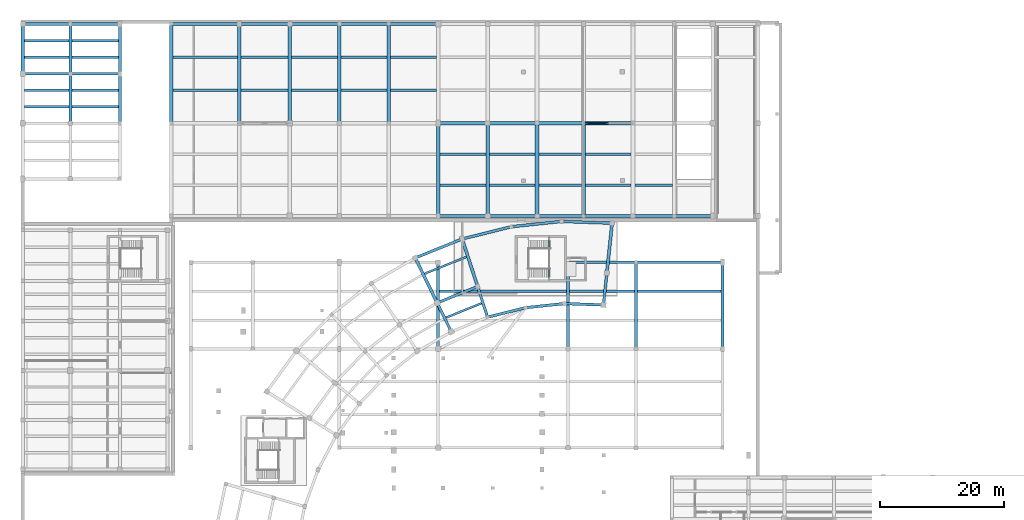
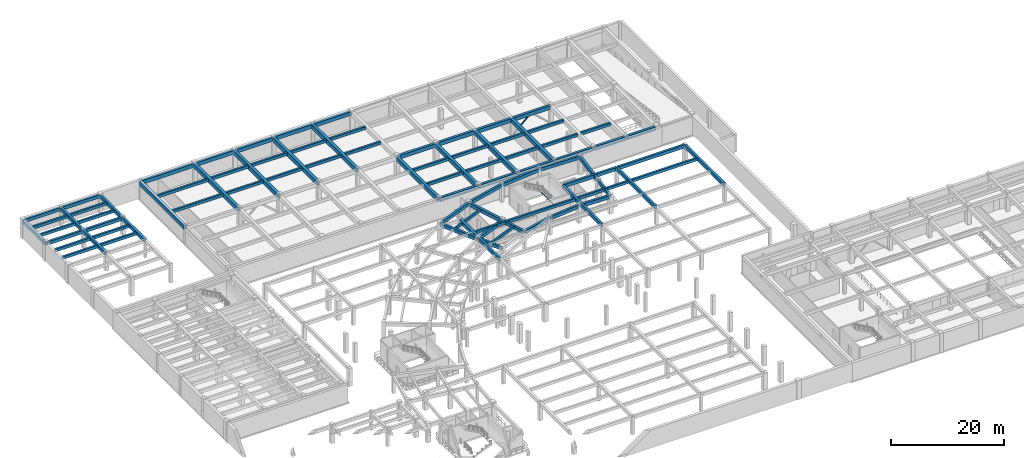
# One storey, part 7 of 35: 85 beams, 2 members.
"""IFC4 building model written with IfcOpenShell, lengths in metres."""

from ifc_helpers import new_model, si_unit, direction, frame, origin, origin_2d, place, context, subcontext, project, spatial, rectangle, hollow_rectangle, hollow_circle, extrude, material, material_profile, profile_set, type_object, element, save


model = new_model("IFC4")

# Units and contexts
model_context = context("Model", 3, precision=1e-05, world=origin(), true_north=direction((0.0, 1.0)))
body_context = subcontext(model_context, "Body", "Model", "MODEL_VIEW")
ifc_project = project(units=[si_unit("LENGTHUNIT", "METRE"), si_unit("AREAUNIT", "SQUARE_METRE"), si_unit("VOLUMEUNIT", "CUBIC_METRE"), si_unit("PLANEANGLEUNIT", "RADIAN"), si_unit("MASSUNIT", "GRAM", prefix="KILO"), si_unit("THERMODYNAMICTEMPERATUREUNIT", "KELVIN"), si_unit("POWERUNIT", "WATT")], contexts=[model_context])

# Site, building, storey
site_placement = place(None, origin())
site = spatial("IfcSite", under=ifc_project, at=site_placement, CompositionType="ELEMENT")
building_placement = place(site_placement, origin())
building = spatial("IfcBuilding", under=site, at=building_placement, Name="Solvatero Civic Police Headquarters", CompositionType="ELEMENT")
storey_placement = place(building_placement, frame((0.0, 0.0, -4.199951171875)))
storey = spatial("IfcBuildingStorey", under=building, at=storey_placement, Name="B01", CompositionType="ELEMENT", Elevation=-4.199951171875)

# Beams
ifc_material_1 = material(Name="Concrete C40/50", Category="concrete")
ifc_material_profile_1 = material_profile(ifc_material_1, rectangle(XDim=0.35009765625, YDim=0.550048828125, at=origin_2d()), Name="RC 350x550")
ifc_profile_set_1 = profile_set([ifc_material_profile_1], Name="Concrete C40/50")
beam_type_1 = type_object("IfcBeamType", Name="BM-RC-350x550", PredefinedType="BEAM", material=ifc_profile_set_1)
beam_1_placement = place(storey_placement, frame((78.997314453125, 71.36669921875, 3.625), z_axis=(-0.927204835527, -0.374554659528, 0.0), x_axis=(0.374554659528, -0.927204835527, 0.0)))
element("IfcBeam", 1, at=beam_1_placement, inside=storey, type_object=beam_type_1, Name="Primary girder BM-R2-B01-ARC-CS1-B04", PredefinedType="BEAM", context=body_context, shape_type="SweptSolid", body=[
    extrude(rectangle(XDim=0.35009765625, YDim=0.550048828125, at=origin_2d()), origin(), (0.0, 0.0, 1.0), 6.168701171875),
])
beam_2_placement = place(storey_placement, frame((76.555908203125, 78.880126953125, 3.625), z_axis=(-0.927188241672, -0.374595734766, 0.0), x_axis=(0.374595734766, -0.927188241672, 0.0)))
element("IfcBeam", 2, at=beam_2_placement, inside=storey, type_object=beam_type_1, Name="Primary girder BM-R2-B01-ARC-CS2-B04", PredefinedType="BEAM", context=body_context, shape_type="SweptSolid", body=[
    extrude(rectangle(XDim=0.35009765625, YDim=0.550048828125, at=origin_2d()), origin(), (0.0, 0.0, 1.0), 7.270751953125),
])
ifc_material_profile_2 = material_profile(ifc_material_1, rectangle(XDim=0.39990234375, YDim=0.60009765625, at=origin_2d()), Name="RC 400x600")
ifc_profile_set_2 = profile_set([ifc_material_profile_2], Name="Concrete C40/50")
beam_type_2 = type_object("IfcBeamType", Name="BM-RC-400x600", PredefinedType="BEAM", material=ifc_profile_set_2)
for number, where, z_axis, x_axis, name in (
    (3, (5.050048828125, 103.166748046875, 3.599853515625), (1.0, 0.0, 0.0), (0.0, 1.0, 0.0), "Primary girder BM-R2-B01-V7NWB-SEC-1-2-S1"),
    (4, (5.050048828125, 105.833251953125, 3.599853515625), (1.0, 0.0, 0.0), (0.0, 1.0, 0.0), "Primary girder BM-R2-B01-V7NWB-SEC-1-2-S2"),
    (5, (5.050048828125, 111.183349609375, 3.599853515625), (1.0, 0.0, 0.0), (0.0, 1.0, 0.0), "Primary girder BM-R2-B01-V7NWB-SEC-1-3-S1"),
    (6, (5.050048828125, 113.86669921875, 3.599853515625), (1.0, 0.0, 0.0), (0.0, 1.0, 0.0), "Primary girder BM-R2-B01-V7NWB-SEC-1-3-S2"),
):
    element("IfcBeam", number, at=place(storey_placement, frame(where, z_axis=z_axis, x_axis=x_axis)), inside=storey, type_object=beam_type_2, Name=name, PredefinedType="BEAM", context=body_context, shape_type="SweptSolid", body=[
        extrude(rectangle(XDim=0.39990234375, YDim=0.60009765625, at=origin_2d()), origin(), (0.0, 0.0, 1.0), 7.199951171875),
    ])
for number, where, z_axis, x_axis, name in (
    (7, (12.75, 103.166748046875, 3.599853515625), (1.0, 0.0, 0.0), (0.0, 1.0, 0.0), "Primary girder BM-R2-B01-V7NWB-SEC-2-2-S1"),
    (8, (12.75, 105.833251953125, 3.599853515625), (1.0, 0.0, 0.0), (0.0, 1.0, 0.0), "Primary girder BM-R2-B01-V7NWB-SEC-2-2-S2"),
    (9, (12.75, 111.183349609375, 3.599853515625), (1.0, 0.0, 0.0), (0.0, 1.0, 0.0), "Primary girder BM-R2-B01-V7NWB-SEC-2-3-S1"),
    (10, (12.75, 113.86669921875, 3.599853515625), (1.0, 0.0, 0.0), (0.0, 1.0, 0.0), "Primary girder BM-R2-B01-V7NWB-SEC-2-3-S2"),
):
    element("IfcBeam", number, at=place(storey_placement, frame(where, z_axis=z_axis, x_axis=x_axis)), inside=storey, type_object=beam_type_2, Name=name, PredefinedType="BEAM", context=body_context, shape_type="SweptSolid", body=[
        extrude(rectangle(XDim=0.39990234375, YDim=0.60009765625, at=origin_2d()), origin(), (0.0, 0.0, 1.0), 7.5),
    ])
beam_3_placement = place(storey_placement, frame((72.25, 73.333251953125, 3.639892578125), z_axis=(1.0, 0.0, 0.0), x_axis=(0.0, 1.0, 0.0)))
element("IfcBeam", 11, at=beam_3_placement, inside=storey, type_object=beam_type_2, Name="Primary girder BM-R2-B01-SUBM-SEC-4-2-S2", PredefinedType="BEAM", context=body_context, shape_type="SweptSolid", body=[
    extrude(rectangle(XDim=0.39990234375, YDim=0.60009765625, at=origin_2d()), origin(), (0.0, 0.0, 1.0), 20.5),
])
beam_4_placement = place(storey_placement, frame((93.25, 73.333251953125, 3.639892578125), z_axis=(1.0, 0.0, 0.0), x_axis=(0.0, 1.0, 0.0)))
element("IfcBeam", 12, at=beam_4_placement, inside=storey, type_object=beam_type_2, Name="Primary girder BM-R2-B01-SUBM-SEC-5-2-S2", PredefinedType="BEAM", context=body_context, shape_type="SweptSolid", body=[
    extrude(rectangle(XDim=0.39990234375, YDim=0.60009765625, at=origin_2d()), origin(), (0.0, 0.0, 1.0), 10.5),
])
beam_5_placement = place(storey_placement, frame((104.25, 73.333251953125, 3.639892578125), z_axis=(1.0, 0.0, 0.0), x_axis=(0.0, 1.0, 0.0)))
element("IfcBeam", 13, at=beam_5_placement, inside=storey, type_object=beam_type_2, Name="Primary girder BM-R2-B01-SUBM-SEC-6-2-S2", PredefinedType="BEAM", context=body_context, shape_type="SweptSolid", body=[
    extrude(rectangle(XDim=0.39990234375, YDim=0.60009765625, at=origin_2d()), origin(), (0.0, 0.0, 1.0), 13.5),
])
for number, where, z_axis, x_axis, name in (
    (14, (29.10009765625, 105.85009765625, 3.579833984375), (1.0, 0.0, 0.0), (0.0, 1.0, 0.0), "Primary girder BM-R2-B01-V7B-SEC-1-2-S1"),
    (15, (29.10009765625, 111.199951171875, 3.579833984375), (1.0, 0.0, 0.0), (0.0, 1.0, 0.0), "Primary girder BM-R2-B01-V7B-SEC-1-2-S2"),
):
    element("IfcBeam", number, at=place(storey_placement, frame(where, z_axis=z_axis, x_axis=x_axis)), inside=storey, type_object=beam_type_2, Name=name, PredefinedType="BEAM", context=body_context, shape_type="SweptSolid", body=[
        extrude(rectangle(XDim=0.39990234375, YDim=0.60009765625, at=origin_2d()), origin(), (0.0, 0.0, 1.0), 10.39990234375),
    ])
for number, where, z_axis, x_axis, name in (
    (16, (40.10009765625, 105.85009765625, 3.579833984375), (1.0, 0.0, 0.0), (0.0, 1.0, 0.0), "Primary girder BM-R2-B01-V7B-SEC-2-2-S1"),
    (17, (40.10009765625, 111.199951171875, 3.579833984375), (1.0, 0.0, 0.0), (0.0, 1.0, 0.0), "Primary girder BM-R2-B01-V7B-SEC-2-2-S2"),
):
    element("IfcBeam", number, at=place(storey_placement, frame(where, z_axis=z_axis, x_axis=x_axis)), inside=storey, type_object=beam_type_2, Name=name, PredefinedType="BEAM", context=body_context, shape_type="SweptSolid", body=[
        extrude(rectangle(XDim=0.39990234375, YDim=0.60009765625, at=origin_2d()), origin(), (0.0, 0.0, 1.0), 7.599853515625),
    ])
for number, where, z_axis, x_axis, name in (
    (18, (48.300048828125, 105.85009765625, 3.579833984375), (1.0, 0.0, 0.0), (0.0, 1.0, 0.0), "Primary girder BM-R2-B01-V7B-SEC-3-2-S1"),
    (19, (48.300048828125, 111.199951171875, 3.579833984375), (1.0, 0.0, 0.0), (0.0, 1.0, 0.0), "Primary girder BM-R2-B01-V7B-SEC-3-2-S2"),
    (20, (56.300048828125, 105.85009765625, 3.579833984375), (1.0, 0.0, 0.0), (0.0, 1.0, 0.0), "Primary girder BM-R2-B01-V7B-SEC-4-2-S1"),
    (21, (56.300048828125, 111.199951171875, 3.579833984375), (1.0, 0.0, 0.0), (0.0, 1.0, 0.0), "Primary girder BM-R2-B01-V7B-SEC-4-2-S2"),
    (22, (64.300048828125, 105.85009765625, 3.579833984375), (1.0, 0.0, 0.0), (0.0, 1.0, 0.0), "Primary girder BM-R2-B01-V7B-SEC-5-2-S1"),
    (23, (64.300048828125, 111.199951171875, 3.579833984375), (1.0, 0.0, 0.0), (0.0, 1.0, 0.0), "Primary girder BM-R2-B01-V7B-SEC-5-2-S2"),
    (24, (72.300048828125, 90.5, 3.579833984375), (1.0, 0.0, 0.0), (0.0, 1.0, 0.0), "Primary girder BM-R2-B01-V7B-SEC-6-1-S1"),
    (25, (72.300048828125, 95.5, 3.579833984375), (1.0, 0.0, 0.0), (0.0, 1.0, 0.0), "Primary girder BM-R2-B01-V7B-SEC-6-1-S2"),
    (26, (80.300048828125, 90.5, 3.579833984375), (1.0, 0.0, 0.0), (0.0, 1.0, 0.0), "Primary girder BM-R2-B01-V7B-SEC-7-1-S1"),
    (27, (80.300048828125, 95.5, 3.579833984375), (1.0, 0.0, 0.0), (0.0, 1.0, 0.0), "Primary girder BM-R2-B01-V7B-SEC-7-1-S2"),
):
    element("IfcBeam", number, at=place(storey_placement, frame(where, z_axis=z_axis, x_axis=x_axis)), inside=storey, type_object=beam_type_2, Name=name, PredefinedType="BEAM", context=body_context, shape_type="SweptSolid", body=[
        extrude(rectangle(XDim=0.39990234375, YDim=0.60009765625, at=origin_2d()), origin(), (0.0, 0.0, 1.0), 7.39990234375),
    ])
for number, where, z_axis, x_axis, name in (
    (28, (88.300048828125, 90.5, 3.579833984375), (1.0, 0.0, 0.0), (0.0, 1.0, 0.0), "Primary girder BM-R2-B01-V7B-SEC-8-1-S1"),
    (29, (88.300048828125, 95.5, 3.579833984375), (1.0, 0.0, 0.0), (0.0, 1.0, 0.0), "Primary girder BM-R2-B01-V7B-SEC-8-1-S2"),
):
    element("IfcBeam", number, at=place(storey_placement, frame(where, z_axis=z_axis, x_axis=x_axis)), inside=storey, type_object=beam_type_2, Name=name, PredefinedType="BEAM", context=body_context, shape_type="SweptSolid", body=[
        extrude(rectangle(XDim=0.39990234375, YDim=0.60009765625, at=origin_2d()), origin(), (0.0, 0.0, 1.0), 6.89990234375),
    ])
for number, where, z_axis, x_axis, name in (
    (30, (95.800048828125, 90.5, 3.579833984375), (1.0, 0.0, 0.0), (0.0, 1.0, 0.0), "Primary girder BM-R2-B01-V7B-SEC-9-1-S1"),
    (31, (95.800048828125, 95.5, 3.579833984375), (1.0, 0.0, 0.0), (0.0, 1.0, 0.0), "Primary girder BM-R2-B01-V7B-SEC-9-1-S2"),
):
    element("IfcBeam", number, at=place(storey_placement, frame(where, z_axis=z_axis, x_axis=x_axis)), inside=storey, type_object=beam_type_2, Name=name, PredefinedType="BEAM", context=body_context, shape_type="SweptSolid", body=[
        extrude(rectangle(XDim=0.39990234375, YDim=0.60009765625, at=origin_2d()), origin(), (0.0, 0.0, 1.0), 7.39990234375),
    ])
beam_6_placement = place(storey_placement, frame((103.800048828125, 90.5, 3.579833984375), z_axis=(1.0, 0.0, 0.0), x_axis=(0.0, 1.0, 0.0)))
element("IfcBeam", 32, at=beam_6_placement, inside=storey, type_object=beam_type_2, Name="Primary girder BM-R2-B01-V7B-SEC-10-1-S1", PredefinedType="BEAM", context=body_context, shape_type="SweptSolid", body=[
    extrude(rectangle(XDim=0.39990234375, YDim=0.60009765625, at=origin_2d()), origin(), (0.0, 0.0, 1.0), 6.099853515625),
])
ifc_material_profile_3 = material_profile(ifc_material_1, rectangle(XDim=0.449951171875, YDim=0.699951171875, at=origin_2d()), Name="RC 450x700")
ifc_profile_set_3 = profile_set([ifc_material_profile_3], Name="Concrete C40/50")
beam_type_3 = type_object("IfcBeamType", Name="BM-RC-450x700", PredefinedType="BEAM", material=ifc_profile_set_3)
beam_7_placement = place(storey_placement, frame((4.9599609375, 108.5, 3.550048828125), z_axis=(1.0, 0.0, 0.0), x_axis=(0.0, 1.0, 0.0)))
element("IfcBeam", 33, at=beam_7_placement, inside=storey, type_object=beam_type_3, Name="Primary girder BM-R2-B01-V7NWB-GX-1-3", PredefinedType="BEAM", context=body_context, shape_type="SweptSolid", body=[
    extrude(rectangle(XDim=0.449951171875, YDim=0.699951171875, at=origin_2d()), origin(), (0.0, 0.0, 1.0), 7.380126953125),
])
beam_8_placement = place(storey_placement, frame((12.659912109375, 108.5, 3.550048828125), z_axis=(1.0, 0.0, 0.0), x_axis=(0.0, 1.0, 0.0)))
element("IfcBeam", 34, at=beam_8_placement, inside=storey, type_object=beam_type_3, Name="Primary girder BM-R2-B01-V7NWB-GX-2-3", PredefinedType="BEAM", context=body_context, shape_type="SweptSolid", body=[
    extrude(rectangle(XDim=0.449951171875, YDim=0.699951171875, at=origin_2d()), origin(), (0.0, 0.0, 1.0), 7.68017578125),
])
beam_9_placement = place(storey_placement, frame((4.9599609375, 116.550048828125, 3.550048828125), z_axis=(1.0, 0.0, 0.0), x_axis=(0.0, 1.0, 0.0)))
element("IfcBeam", 35, at=beam_9_placement, inside=storey, type_object=beam_type_3, Name="Primary girder BM-R2-B01-V7NWB-GX-1-4", PredefinedType="BEAM", context=body_context, shape_type="SweptSolid", body=[
    extrude(rectangle(XDim=0.449951171875, YDim=0.699951171875, at=origin_2d()), origin(), (0.0, 0.0, 1.0), 7.380126953125),
])
beam_10_placement = place(storey_placement, frame((12.659912109375, 116.550048828125, 3.550048828125), z_axis=(1.0, 0.0, 0.0), x_axis=(0.0, 1.0, 0.0)))
element("IfcBeam", 36, at=beam_10_placement, inside=storey, type_object=beam_type_3, Name="Primary girder BM-R2-B01-V7NWB-GX-2-4", PredefinedType="BEAM", context=body_context, shape_type="SweptSolid", body=[
    extrude(rectangle(XDim=0.449951171875, YDim=0.699951171875, at=origin_2d()), origin(), (0.0, 0.0, 1.0), 7.68017578125),
])
beam_11_placement = place(storey_placement, frame((93.159912109375, 78.0, 3.58984375), z_axis=(1.0, 0.0, 0.0), x_axis=(0.0, 1.0, 0.0)))
element("IfcBeam", 37, at=beam_11_placement, inside=storey, type_object=beam_type_3, Name="Primary girder BM-R2-B01-SUBM-GX-5-3", PredefinedType="BEAM", context=body_context, shape_type="SweptSolid", body=[
    extrude(rectangle(XDim=0.449951171875, YDim=0.699951171875, at=origin_2d()), origin(), (0.0, 0.0, 1.0), 10.68017578125),
])
beam_12_placement = place(storey_placement, frame((104.159912109375, 78.0, 3.58984375), z_axis=(1.0, 0.0, 0.0), x_axis=(0.0, 1.0, 0.0)))
element("IfcBeam", 38, at=beam_12_placement, inside=storey, type_object=beam_type_3, Name="Primary girder BM-R2-B01-SUBM-GX-6-3", PredefinedType="BEAM", context=body_context, shape_type="SweptSolid", body=[
    extrude(rectangle(XDim=0.449951171875, YDim=0.699951171875, at=origin_2d()), origin(), (0.0, 0.0, 1.0), 13.68017578125),
])
beam_13_placement = place(storey_placement, frame((98.757080078125, 71.2607421875, 3.550048828125), z_axis=(0.104510298674, 0.994523804376, 0.0), x_axis=(-0.994523804376, 0.104510298674, 0.0)))
element("IfcBeam", 39, at=beam_13_placement, inside=storey, type_object=beam_type_3, Name="Primary girder BM-R2-B01-ARC-RAD1-S00", PredefinedType="BEAM", context=body_context, shape_type="SweptSolid", body=[
    extrude(rectangle(XDim=0.449951171875, YDim=0.699951171875, at=origin_2d()), origin(), (0.0, 0.0, 1.0), 4.8798828125),
])
beam_14_placement = place(storey_placement, frame((79.936767578125, 69.28271484375, 3.550048828125), z_axis=(-0.30904421419, 0.95104767161, 0.0), x_axis=(-0.95104767161, -0.30904421419, 0.0)))
element("IfcBeam", 40, at=beam_14_placement, inside=storey, type_object=beam_type_3, Name="Primary girder BM-R2-B01-ARC-RAD1-S03", PredefinedType="BEAM", context=body_context, shape_type="SweptSolid", body=[
    extrude(rectangle(XDim=0.449951171875, YDim=0.699951171875, at=origin_2d()), origin(), (0.0, 0.0, 1.0), 4.879638671875),
])
beam_15_placement = place(storey_placement, frame((74.0498046875, 66.904052734375, 3.550048828125), z_axis=(-0.438387163109, 0.898786234441, 0.0), x_axis=(-0.898786234441, -0.438387163109, 0.0)))
element("IfcBeam", 41, at=beam_15_placement, inside=storey, type_object=beam_type_3, Name="Primary girder BM-R2-B01-ARC-RAD1-S04", PredefinedType="BEAM", context=body_context, shape_type="SweptSolid", body=[
    extrude(rectangle(XDim=0.449951171875, YDim=0.699951171875, at=origin_2d()), origin(), (0.0, 0.0, 1.0), 4.880126953125),
])
beam_16_placement = place(storey_placement, frame((98.58056640625, 71.107177734375, 3.550048828125), z_axis=(-0.999390404129, 0.034911604601, 0.0), x_axis=(-0.034911604601, -0.999390404129, 0.0)))
element("IfcBeam", 42, at=beam_16_placement, inside=storey, type_object=beam_type_3, Name="Primary girder BM-R2-B01-ARC-CIN-B01", PredefinedType="BEAM", context=body_context, shape_type="SweptSolid", body=[
    extrude(rectangle(XDim=0.449951171875, YDim=0.699951171875, at=origin_2d()), origin(), (0.0, 0.0, 1.0), 6.007080078125),
])
beam_17_placement = place(storey_placement, frame((99.970703125, 84.334228515625, 3.550048828125), z_axis=(-0.999390745753, 0.034901823776, 0.0), x_axis=(-0.034901823776, -0.999390745753, 0.0)))
element("IfcBeam", 43, at=beam_17_placement, inside=storey, type_object=beam_type_3, Name="Primary girder BM-R2-B01-ARC-COUT-B01", PredefinedType="BEAM", context=body_context, shape_type="SweptSolid", body=[
    extrude(rectangle(XDim=0.449951171875, YDim=0.699951171875, at=origin_2d()), origin(), (0.0, 0.0, 1.0), 7.862548828125),
])
beam_18_placement = place(storey_placement, frame((92.25830078125, 71.3056640625, 3.550048828125), z_axis=(-0.994521475549, -0.104532457504, 0.0), x_axis=(0.104532457504, -0.994521475549, 0.0)))
element("IfcBeam", 44, at=beam_18_placement, inside=storey, type_object=beam_type_3, Name="Primary girder BM-R2-B01-ARC-CIN-B02", PredefinedType="BEAM", context=body_context, shape_type="SweptSolid", body=[
    extrude(rectangle(XDim=0.449951171875, YDim=0.699951171875, at=origin_2d()), origin(), (0.0, 0.0, 1.0), 6.007080078125),
])
beam_19_placement = place(storey_placement, frame((91.7939453125, 84.59765625, 3.550048828125), z_axis=(-0.994519565954, -0.104550623784, 0.0), x_axis=(0.104550623784, -0.994519565954, 0.0)))
element("IfcBeam", 45, at=beam_19_placement, inside=storey, type_object=beam_type_3, Name="Primary girder BM-R2-B01-ARC-COUT-B02", PredefinedType="BEAM", context=body_context, shape_type="SweptSolid", body=[
    extrude(rectangle(XDim=0.449951171875, YDim=0.699951171875, at=origin_2d()), origin(), (0.0, 0.0, 1.0), 7.8623046875),
])
beam_20_placement = place(storey_placement, frame((85.969970703125, 70.622314453125, 3.550048828125), z_axis=(-0.970300083535, -0.241904418916, 0.0), x_axis=(0.241904418916, -0.970300083535, 0.0)))
element("IfcBeam", 46, at=beam_20_placement, inside=storey, type_object=beam_type_3, Name="Primary girder BM-R2-B01-ARC-CIN-B03", PredefinedType="BEAM", context=body_context, shape_type="SweptSolid", body=[
    extrude(rectangle(XDim=0.449951171875, YDim=0.699951171875, at=origin_2d()), origin(), (0.0, 0.0, 1.0), 6.007080078125),
])
beam_21_placement = place(storey_placement, frame((83.660400390625, 83.72021484375, 3.550048828125), z_axis=(-0.97029573672, -0.241921853712, 0.0), x_axis=(0.241921853712, -0.97029573672, 0.0)))
element("IfcBeam", 47, at=beam_21_placement, inside=storey, type_object=beam_type_3, Name="Primary girder BM-R2-B01-ARC-COUT-B03", PredefinedType="BEAM", context=body_context, shape_type="SweptSolid", body=[
    extrude(rectangle(XDim=0.449951171875, YDim=0.699951171875, at=origin_2d()), origin(), (0.0, 0.0, 1.0), 7.862548828125),
])
beam_22_placement = place(storey_placement, frame((78.23095703125, 74.01611328125, 3.550048828125), z_axis=(-0.927178143586, -0.37462072828, 0.0), x_axis=(0.37462072828, -0.927178143586, 0.0)))
element("IfcBeam", 48, at=beam_22_placement, inside=storey, type_object=beam_type_3, Name="Primary girder BM-R2-B01-ARC-CMID-B04", PredefinedType="BEAM", context=body_context, shape_type="SweptSolid", body=[
    extrude(rectangle(XDim=0.449951171875, YDim=0.699951171875, at=origin_2d()), origin(), (0.0, 0.0, 1.0), 6.732666015625),
])
beam_23_placement = place(storey_placement, frame((75.727783203125, 81.719482421875, 3.550048828125), z_axis=(-0.927186260709, -0.37460063795, 0.0), x_axis=(0.37460063795, -0.927186260709, 0.0)))
element("IfcBeam", 49, at=beam_23_placement, inside=storey, type_object=beam_type_3, Name="Primary girder BM-R2-B01-ARC-COUT-B04", PredefinedType="BEAM", context=body_context, shape_type="SweptSolid", body=[
    extrude(rectangle(XDim=0.449951171875, YDim=0.699951171875, at=origin_2d()), origin(), (0.0, 0.0, 1.0), 7.862548828125),
])
ifc_material_profile_4 = material_profile(ifc_material_1, rectangle(XDim=0.5, YDim=0.75, at=origin_2d()), Name="RC 500x750")
ifc_profile_set_4 = profile_set([ifc_material_profile_4], Name="Concrete C40/50")
beam_type_4 = type_object("IfcBeamType", Name="BM-RC-500x750", PredefinedType="BEAM", material=ifc_profile_set_4)
beam_24_placement = place(storey_placement, frame((4.800048828125, 108.659912109375, 3.52490234375), z_axis=(0.0, 1.0, 0.0), x_axis=(-1.0, 0.0, 0.0)))
element("IfcBeam", 50, at=beam_24_placement, inside=storey, type_object=beam_type_4, Name="Primary girder BM-R2-B01-V7NWB-GY-1-3", PredefinedType="BEAM", context=body_context, shape_type="SweptSolid", body=[
    extrude(rectangle(XDim=0.5, YDim=0.75, at=origin_2d()), origin(), (0.0, 0.0, 1.0), 7.72998046875),
])
beam_25_placement = place(storey_placement, frame((12.5, 100.659912109375, 3.52490234375), z_axis=(0.0, 1.0, 0.0), x_axis=(-1.0, 0.0, 0.0)))
element("IfcBeam", 51, at=beam_25_placement, inside=storey, type_object=beam_type_4, Name="Primary girder BM-R2-B01-V7NWB-GY-2-2", PredefinedType="BEAM", context=body_context, shape_type="SweptSolid", body=[
    extrude(rectangle(XDim=0.5, YDim=0.75, at=origin_2d()), origin(), (0.0, 0.0, 1.0), 7.68017578125),
])
beam_26_placement = place(storey_placement, frame((12.5, 108.659912109375, 3.52490234375), z_axis=(0.0, 1.0, 0.0), x_axis=(-1.0, 0.0, 0.0)))
element("IfcBeam", 52, at=beam_26_placement, inside=storey, type_object=beam_type_4, Name="Primary girder BM-R2-B01-V7NWB-GY-2-3", PredefinedType="BEAM", context=body_context, shape_type="SweptSolid", body=[
    extrude(rectangle(XDim=0.5, YDim=0.75, at=origin_2d()), origin(), (0.0, 0.0, 1.0), 7.72998046875),
])
beam_27_placement = place(storey_placement, frame((20.5, 100.659912109375, 3.52490234375), z_axis=(0.0, 1.0, 0.0), x_axis=(-1.0, 0.0, 0.0)))
element("IfcBeam", 53, at=beam_27_placement, inside=storey, type_object=beam_type_4, Name="Primary girder BM-R2-B01-V7NWB-GY-3-2", PredefinedType="BEAM", context=body_context, shape_type="SweptSolid", body=[
    extrude(rectangle(XDim=0.5, YDim=0.75, at=origin_2d()), origin(), (0.0, 0.0, 1.0), 7.68017578125),
])
beam_28_placement = place(storey_placement, frame((20.5, 108.659912109375, 3.52490234375), z_axis=(0.0, 1.0, 0.0), x_axis=(-1.0, 0.0, 0.0)))
element("IfcBeam", 54, at=beam_28_placement, inside=storey, type_object=beam_type_4, Name="Primary girder BM-R2-B01-V7NWB-GY-3-3", PredefinedType="BEAM", context=body_context, shape_type="SweptSolid", body=[
    extrude(rectangle(XDim=0.5, YDim=0.75, at=origin_2d()), origin(), (0.0, 0.0, 1.0), 7.72998046875),
])
for number, where, z_axis, x_axis, name in (
    (55, (72.0, 64.159912109375, 3.56494140625), (0.0, 1.0, 0.0), (-1.0, 0.0, 0.0), "Primary girder BM-R2-B01-SUBM-GY-4-2"),
    (56, (93.0, 64.159912109375, 3.56494140625), (0.0, 1.0, 0.0), (-1.0, 0.0, 0.0), "Primary girder BM-R2-B01-SUBM-GY-5-2"),
    (57, (104.0, 64.159912109375, 3.56494140625), (0.0, 1.0, 0.0), (-1.0, 0.0, 0.0), "Primary girder BM-R2-B01-SUBM-GY-6-2"),
    (58, (118.0, 64.159912109375, 3.56494140625), (0.0, 1.0, 0.0), (-1.0, 0.0, 0.0), "Primary girder BM-R2-B01-SUBM-GY-7-2"),
):
    element("IfcBeam", number, at=place(storey_placement, frame(where, z_axis=z_axis, x_axis=x_axis)), inside=storey, type_object=beam_type_4, Name=name, PredefinedType="BEAM", context=body_context, shape_type="SweptSolid", body=[
        extrude(rectangle(XDim=0.5, YDim=0.75, at=origin_2d()), origin(), (0.0, 0.0, 1.0), 13.68017578125),
    ])
beam_29_placement = place(storey_placement, frame((99.300537109375, 76.43212890625, 3.52490234375), z_axis=(0.10455737322, 0.994518856385, 0.0), x_axis=(-0.994518856385, 0.10455737322, 0.0)))
element("IfcBeam", 59, at=beam_29_placement, inside=storey, type_object=beam_type_4, Name="Primary girder BM-R2-B01-ARC-RAD2-S00", PredefinedType="BEAM", context=body_context, shape_type="SweptSolid", body=[
    extrude(rectangle(XDim=0.5, YDim=0.75, at=origin_2d()), origin(), (0.0, 0.0, 1.0), 7.7802734375),
])
for number, where, z_axis, x_axis, name in (
    (60, (78.329833984375, 74.22802734375, 3.52490234375), (-0.309035692722, 0.951050440631, 0.0), (-0.951050440631, -0.309035692722, 0.0), "Primary girder BM-R2-B01-ARC-RAD2-S03"),
    (61, (71.770263671875, 71.577880859375, 3.52490234375), (-0.438380353781, 0.898789555691, 0.0), (-0.898789555691, -0.438380353781, 0.0), "Primary girder BM-R2-B01-ARC-RAD2-S04"),
):
    element("IfcBeam", number, at=place(storey_placement, frame(where, z_axis=z_axis, x_axis=x_axis)), inside=storey, type_object=beam_type_4, Name=name, PredefinedType="BEAM", context=body_context, shape_type="SweptSolid", body=[
        extrude(rectangle(XDim=0.5, YDim=0.75, at=origin_2d()), origin(), (0.0, 0.0, 1.0), 7.780029296875),
    ])
ifc_material_profile_5 = material_profile(ifc_material_1, rectangle(XDim=0.5, YDim=0.800048828125, at=origin_2d()), Name="RC 500x800")
ifc_profile_set_5 = profile_set([ifc_material_profile_5], Name="Concrete C40/50")
beam_type_5 = type_object("IfcBeamType", Name="BM-RC-500x800", PredefinedType="BEAM", material=ifc_profile_set_5)
for number, where, z_axis, x_axis, name in (
    (62, (72.159912109375, 85.5, 3.47998046875), (1.0, 0.0, 0.0), (0.0, 1.0, 0.0), "Primary girder BM-R2-B01-V7B-GX-6-1"),
    (63, (80.159912109375, 85.5, 3.47998046875), (1.0, 0.0, 0.0), (0.0, 1.0, 0.0), "Primary girder BM-R2-B01-V7B-GX-7-1"),
):
    element("IfcBeam", number, at=place(storey_placement, frame(where, z_axis=z_axis, x_axis=x_axis)), inside=storey, type_object=beam_type_5, Name=name, PredefinedType="BEAM", context=body_context, shape_type="SweptSolid", body=[
        extrude(rectangle(XDim=0.5, YDim=0.800048828125, at=origin_2d()), origin(), (0.0, 0.0, 1.0), 7.68017578125),
    ])
beam_30_placement = place(storey_placement, frame((88.159912109375, 85.5, 3.47998046875), z_axis=(1.0, 0.0, 0.0), x_axis=(0.0, 1.0, 0.0)))
element("IfcBeam", 64, at=beam_30_placement, inside=storey, type_object=beam_type_5, Name="Primary girder BM-R2-B01-V7B-GX-8-1", PredefinedType="BEAM", context=body_context, shape_type="SweptSolid", body=[
    extrude(rectangle(XDim=0.5, YDim=0.800048828125, at=origin_2d()), origin(), (0.0, 0.0, 1.0), 7.18017578125),
])
beam_31_placement = place(storey_placement, frame((95.659912109375, 85.5, 3.47998046875), z_axis=(1.0, 0.0, 0.0), x_axis=(0.0, 1.0, 0.0)))
element("IfcBeam", 65, at=beam_31_placement, inside=storey, type_object=beam_type_5, Name="Primary girder BM-R2-B01-V7B-GX-9-1", PredefinedType="BEAM", context=body_context, shape_type="SweptSolid", body=[
    extrude(rectangle(XDim=0.5, YDim=0.800048828125, at=origin_2d()), origin(), (0.0, 0.0, 1.0), 7.68017578125),
])
beam_32_placement = place(storey_placement, frame((103.659912109375, 85.5, 3.47998046875), z_axis=(1.0, 0.0, 0.0), x_axis=(0.0, 1.0, 0.0)))
element("IfcBeam", 66, at=beam_32_placement, inside=storey, type_object=beam_type_5, Name="Primary girder BM-R2-B01-V7B-GX-10-1", PredefinedType="BEAM", context=body_context, shape_type="SweptSolid", body=[
    extrude(rectangle(XDim=0.5, YDim=0.800048828125, at=origin_2d()), origin(), (0.0, 0.0, 1.0), 6.380126953125),
])
beam_33_placement = place(storey_placement, frame((110.360107421875, 85.5, 3.47998046875), z_axis=(1.0, 0.0, 0.0), x_axis=(0.0, 1.0, 0.0)))
element("IfcBeam", 67, at=beam_33_placement, inside=storey, type_object=beam_type_5, Name="Primary girder BM-R2-B01-V7B-GX-11-1", PredefinedType="BEAM", context=body_context, shape_type="SweptSolid", body=[
    extrude(rectangle(XDim=0.5, YDim=0.800048828125, at=origin_2d()), origin(), (0.0, 0.0, 1.0), 5.8798828125),
])
for number, where, z_axis, x_axis, name in (
    (68, (72.159912109375, 100.5, 3.47998046875), (1.0, 0.0, 0.0), (0.0, 1.0, 0.0), "Primary girder BM-R2-B01-V7B-GX-6-2"),
    (69, (80.159912109375, 100.5, 3.47998046875), (1.0, 0.0, 0.0), (0.0, 1.0, 0.0), "Primary girder BM-R2-B01-V7B-GX-7-2"),
):
    element("IfcBeam", number, at=place(storey_placement, frame(where, z_axis=z_axis, x_axis=x_axis)), inside=storey, type_object=beam_type_5, Name=name, PredefinedType="BEAM", context=body_context, shape_type="SweptSolid", body=[
        extrude(rectangle(XDim=0.5, YDim=0.800048828125, at=origin_2d()), origin(), (0.0, 0.0, 1.0), 7.68017578125),
    ])
beam_34_placement = place(storey_placement, frame((88.159912109375, 100.5, 3.47998046875), z_axis=(1.0, 0.0, 0.0), x_axis=(0.0, 1.0, 0.0)))
element("IfcBeam", 70, at=beam_34_placement, inside=storey, type_object=beam_type_5, Name="Primary girder BM-R2-B01-V7B-GX-8-2", PredefinedType="BEAM", context=body_context, shape_type="SweptSolid", body=[
    extrude(rectangle(XDim=0.5, YDim=0.800048828125, at=origin_2d()), origin(), (0.0, 0.0, 1.0), 7.18017578125),
])
beam_35_placement = place(storey_placement, frame((95.659912109375, 100.5, 3.47998046875), z_axis=(1.0, 0.0, 0.0), x_axis=(0.0, 1.0, 0.0)))
element("IfcBeam", 71, at=beam_35_placement, inside=storey, type_object=beam_type_5, Name="Primary girder BM-R2-B01-V7B-GX-9-2", PredefinedType="BEAM", context=body_context, shape_type="SweptSolid", body=[
    extrude(rectangle(XDim=0.5, YDim=0.800048828125, at=origin_2d()), origin(), (0.0, 0.0, 1.0), 7.68017578125),
])
beam_36_placement = place(storey_placement, frame((28.9599609375, 116.550048828125, 3.47998046875), z_axis=(1.0, 0.0, 0.0), x_axis=(0.0, 1.0, 0.0)))
element("IfcBeam", 72, at=beam_36_placement, inside=storey, type_object=beam_type_5, Name="Primary girder BM-R2-B01-V7B-GX-1-3", PredefinedType="BEAM", context=body_context, shape_type="SweptSolid", body=[
    extrude(rectangle(XDim=0.5, YDim=0.800048828125, at=origin_2d()), origin(), (0.0, 0.0, 1.0), 10.679931640625),
])
beam_37_placement = place(storey_placement, frame((39.9599609375, 116.550048828125, 3.47998046875), z_axis=(1.0, 0.0, 0.0), x_axis=(0.0, 1.0, 0.0)))
element("IfcBeam", 73, at=beam_37_placement, inside=storey, type_object=beam_type_5, Name="Primary girder BM-R2-B01-V7B-GX-2-3", PredefinedType="BEAM", context=body_context, shape_type="SweptSolid", body=[
    extrude(rectangle(XDim=0.5, YDim=0.800048828125, at=origin_2d()), origin(), (0.0, 0.0, 1.0), 7.880126953125),
])
for number, where, z_axis, x_axis, name in (
    (74, (48.159912109375, 116.550048828125, 3.47998046875), (1.0, 0.0, 0.0), (0.0, 1.0, 0.0), "Primary girder BM-R2-B01-V7B-GX-3-3"),
    (75, (56.159912109375, 116.550048828125, 3.47998046875), (1.0, 0.0, 0.0), (0.0, 1.0, 0.0), "Primary girder BM-R2-B01-V7B-GX-4-3"),
    (76, (64.159912109375, 116.550048828125, 3.47998046875), (1.0, 0.0, 0.0), (0.0, 1.0, 0.0), "Primary girder BM-R2-B01-V7B-GX-5-3"),
):
    element("IfcBeam", number, at=place(storey_placement, frame(where, z_axis=z_axis, x_axis=x_axis)), inside=storey, type_object=beam_type_5, Name=name, PredefinedType="BEAM", context=body_context, shape_type="SweptSolid", body=[
        extrude(rectangle(XDim=0.5, YDim=0.800048828125, at=origin_2d()), origin(), (0.0, 0.0, 1.0), 7.68017578125),
    ])
ifc_material_profile_6 = material_profile(ifc_material_1, rectangle(XDim=0.60009765625, YDim=0.89990234375, at=origin_2d()), Name="RC 600x900")
ifc_profile_set_6 = profile_set([ifc_material_profile_6], Name="Concrete C40/50")
beam_type_6 = type_object("IfcBeamType", Name="BM-RC-600x900", PredefinedType="BEAM", material=ifc_profile_set_6)
for number, where, z_axis, x_axis, name in (
    (77, (28.800048828125, 100.659912109375, 3.429931640625), (0.0, 1.0, 0.0), (-1.0, 0.0, 0.0), "Primary girder BM-R2-B01-V7B-GY-1-2"),
    (78, (39.800048828125, 100.659912109375, 3.429931640625), (0.0, 1.0, 0.0), (-1.0, 0.0, 0.0), "Primary girder BM-R2-B01-V7B-GY-2-2"),
    (79, (48.0, 100.659912109375, 3.429931640625), (0.0, 1.0, 0.0), (-1.0, 0.0, 0.0), "Primary girder BM-R2-B01-V7B-GY-3-2"),
    (80, (56.0, 100.659912109375, 3.429931640625), (0.0, 1.0, 0.0), (-1.0, 0.0, 0.0), "Primary girder BM-R2-B01-V7B-GY-4-2"),
    (81, (64.0, 100.659912109375, 3.429931640625), (0.0, 1.0, 0.0), (-1.0, 0.0, 0.0), "Primary girder BM-R2-B01-V7B-GY-5-2"),
):
    element("IfcBeam", number, at=place(storey_placement, frame(where, z_axis=z_axis, x_axis=x_axis)), inside=storey, type_object=beam_type_6, Name=name, PredefinedType="BEAM", context=body_context, shape_type="SweptSolid", body=[
        extrude(rectangle(XDim=0.60009765625, YDim=0.89990234375, at=origin_2d()), origin(), (0.0, 0.0, 1.0), 15.72998046875),
    ])
for number, where, z_axis, x_axis, name in (
    (82, (72.0, 85.659912109375, 3.429931640625), (0.0, 1.0, 0.0), (-1.0, 0.0, 0.0), "Primary girder BM-R2-B01-V7B-GY-6-1"),
    (83, (80.0, 85.659912109375, 3.429931640625), (0.0, 1.0, 0.0), (-1.0, 0.0, 0.0), "Primary girder BM-R2-B01-V7B-GY-7-1"),
    (84, (88.0, 85.659912109375, 3.429931640625), (0.0, 1.0, 0.0), (-1.0, 0.0, 0.0), "Primary girder BM-R2-B01-V7B-GY-8-1"),
    (85, (95.5, 85.659912109375, 3.429931640625), (0.0, 1.0, 0.0), (-1.0, 0.0, 0.0), "Primary girder BM-R2-B01-V7B-GY-9-1"),
):
    element("IfcBeam", number, at=place(storey_placement, frame(where, z_axis=z_axis, x_axis=x_axis)), inside=storey, type_object=beam_type_6, Name=name, PredefinedType="BEAM", context=body_context, shape_type="SweptSolid", body=[
        extrude(rectangle(XDim=0.60009765625, YDim=0.89990234375, at=origin_2d()), origin(), (0.0, 0.0, 1.0), 14.68017578125),
    ])

# Members
ifc_material_2 = material(Name="Steel S355", Category="steel")
ifc_material_profile_7 = material_profile(ifc_material_2, hollow_circle(Radius=0.122314453125, WallThickness=0.012451171875, at=origin_2d()), Name="CHS 244.5x12.5")
ifc_profile_set_7 = profile_set([ifc_material_profile_7], Name="Steel S355")
member_type_1 = type_object("IfcMemberType", Name="MB-BR-CHS245", PredefinedType="BRACE", material=ifc_profile_set_7)
member_1_placement = place(storey_placement, frame((95.800048828125, 100.5, 0.119873046875), z_axis=(0.733336143838, 0.0, 0.679866236947), x_axis=(0.0, 1.0, 0.0)))
element("IfcMember", 86, at=member_1_placement, inside=storey, type_object=member_type_1, Name="Chevron Brace BR-V7-INT2 Left B01", PredefinedType="BRACE", context=body_context, shape_type="SweptSolid", body=[
    extrude(hollow_circle(Radius=0.122314453125, WallThickness=0.012451171875, at=origin_2d()), origin(), (0.0, 0.0, 1.0), 5.04541015625),
])
ifc_material_profile_8 = material_profile(ifc_material_2, hollow_rectangle(XDim=0.10009765625, YDim=0.14990234375, WallThickness=0.00634765625, InnerFilletRadius=0.00634765625, OuterFilletRadius=0.0126953125, at=origin_2d()), Name="RHS 150x100x6.3")
ifc_profile_set_8 = profile_set([ifc_material_profile_8], Name="Steel S355")
member_type_2 = type_object("IfcMemberType", Name="MB-BR-RHS150", PredefinedType="BRACE", material=ifc_profile_set_8)
member_2_placement = place(storey_placement, frame((89.93994140625, 75.080078125, 1.824951171875), z_axis=(0.0, 1.0, 0.0), x_axis=(-1.0, 0.0, 0.0)))
element("IfcMember", 87, at=member_2_placement, inside=storey, type_object=member_type_2, Name="ST-C3 B01 Landing Support Beam", PredefinedType="BRACE", context=body_context, shape_type="SweptSolid", body=[
    extrude(hollow_rectangle(XDim=0.10009765625, YDim=0.14990234375, WallThickness=0.00634765625, InnerFilletRadius=0.00634765625, OuterFilletRadius=0.0126953125, at=origin_2d()), origin(), (0.0, 0.0, 1.0), 7.0400390625),
])

save(model, "model.ifc")
